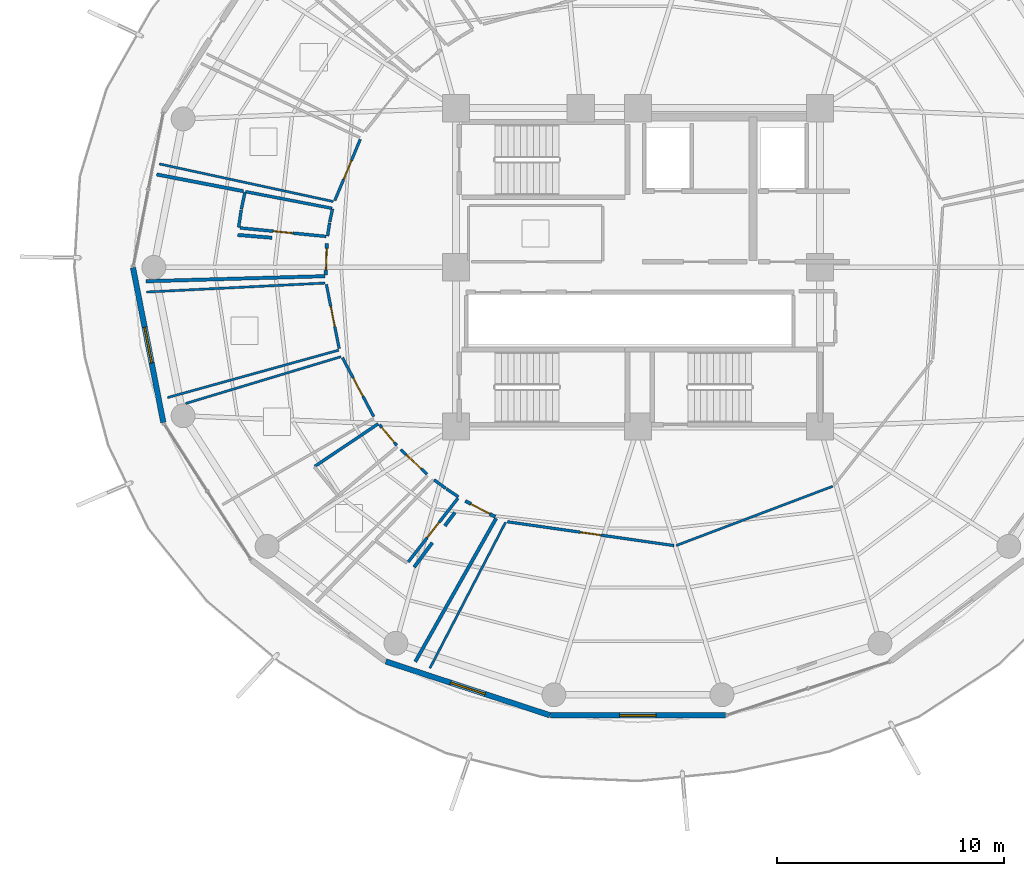
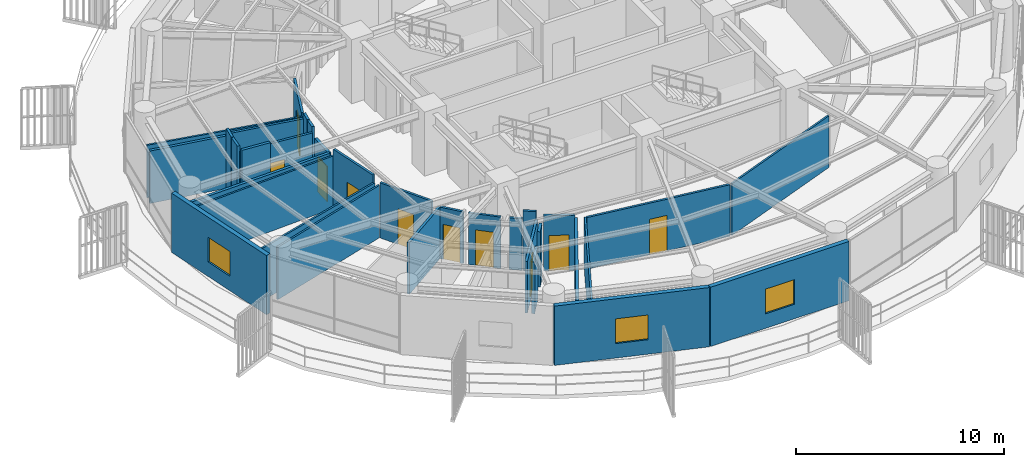
# One storey, part 23 of 30: 33 walls, 10 doors, 3 windows, 13 openings.
"""IFC4 building model written with IfcOpenShell, lengths in metres."""

from ifc_helpers import new_model, si_unit, direction, frame, frame_2d, origin, place, context, subcontext, project, spatial, rectangle, extrude, material, layer, layer_set, type_object, element, fill, save


model = new_model("IFC4")

# Units and contexts
model_context = context("Model", 3, precision=1e-05, world=origin(), true_north=direction((0.0, 1.0)))
body_context = subcontext(model_context, "Body", "Model", "MODEL_VIEW")
ifc_project = project(units=[si_unit("LENGTHUNIT", "METRE"), si_unit("AREAUNIT", "SQUARE_METRE"), si_unit("VOLUMEUNIT", "CUBIC_METRE"), si_unit("PLANEANGLEUNIT", "RADIAN"), si_unit("MASSUNIT", "GRAM", prefix="KILO")], contexts=[model_context])

# Site, building, storey
site_placement = place(None, origin())
site = spatial("IfcSite", under=ifc_project, at=site_placement, CompositionType="ELEMENT")
building_placement = place(site_placement, origin())
building = spatial("IfcBuilding", under=site, at=building_placement, Name="Kelanora Arch Commons", CompositionType="ELEMENT")
storey_placement = place(building_placement, frame((0.0, 0.0, 204.449951171875)))
storey = spatial("IfcBuildingStorey", under=building, at=storey_placement, Name="L52", CompositionType="ELEMENT", Elevation=204.449951171875)

# Wall, opening, door
ifc_material_1 = material(Name="Autoclaved aerated concrete blockwork with fire plaster", Category="masonry")
ifc_layer_1 = layer(ifc_material_1, 0.14990234375)
ifc_layer_set_1 = layer_set([ifc_layer_1], Name="Autoclaved aerated concrete blockwork with fire plaster")
wall_type_1 = type_object("IfcWallType", Name="W-COMP-150", PredefinedType="PARTITIONING", material=ifc_layer_set_1)
wall_1_placement = place(storey_placement, frame((60.322998046875, 59.0458984375, 0.0), z_axis=(0.0, 0.0, 1.0), x_axis=(-0.032172559415, -0.999482329219, 0.0)))
wall_1 = element("IfcWall", 1, at=wall_1_placement, inside=storey, type_object=wall_type_1, Name="Co-Living Studio L52-04 Entry Partition", PredefinedType="PARTITIONING", context=body_context, shape_type="SweptSolid", body=[
    extrude(rectangle(XDim=1.37353515625, YDim=0.14990234375, at=frame_2d((0.686767578125, 0.0))), origin(), (0.0, 0.0, 1.0), 3.025146484375),
])
opening_1_placement = place(wall_1_placement, frame((0.2119140625, 0.0, 0.0)))
opening_1 = element("IfcOpeningElement", 2, at=opening_1_placement, cuts=wall_1, Name="Opening D-CLU1", PredefinedType="OPENING", context=body_context, shape_type="SweptSolid", body=[
    extrude(rectangle(XDim=0.949951171875, YDim=2.080078125, at=frame_2d((0.47509765625, 1.0400390625))), frame((0.0, 0.0849609375, 0.0), z_axis=(0.0, -1.0, 0.0), x_axis=(1.0, 0.0, 0.0)), (0.0, 0.0, 1.0), 0.169921875),
])
ifc_material_2 = material(Name="Solid-core acoustic timber cluster entry fire door", Category="wood")
door_type_1 = type_object("IfcDoorType", Name="D-CLU-95", OperationType="NOTDEFINED", PredefinedType="DOOR", material=ifc_material_2)
door_1_placement = place(opening_1_placement, origin())
door_1 = element("IfcDoor", 3, at=door_1_placement, inside=storey, type_object=door_type_1, Name="Co-Living Studio L52-04 Door", OperationType="SINGLE_SWING_LEFT", OverallHeight=2.080078125, OverallWidth=0.949951171875, PredefinedType="DOOR", context=body_context, shape_type="SweptSolid", body=[
    extrude(rectangle(XDim=0.949951171875, YDim=2.080078125, at=frame_2d((0.47509765625, 1.0400390625))), frame((0.0, 0.02490234375, 0.0), z_axis=(0.0, -1.0, 0.0), x_axis=(1.0, 0.0, 0.0)), (0.0, 0.0, 1.0), 0.050048828125),
])
fill(opening_1, door_1)

wall_2_placement = place(storey_placement, frame((66.406005859375, 47.73193359375, 0.0), z_axis=(0.0, 0.0, 1.0), x_axis=(0.884766555002, -0.466034487083, 0.0)))
wall_2 = element("IfcWall", 4, at=wall_2_placement, inside=storey, type_object=wall_type_1, Name="Co-Living Studio L52-08 Entry Partition", PredefinedType="PARTITIONING", context=body_context, shape_type="SweptSolid", body=[
    extrude(rectangle(XDim=1.501953125, YDim=0.14990234375, at=frame_2d((0.7509765625, 0.0))), origin(), (0.0, 0.0, 1.0), 3.235107421875),
])
opening_2_placement = place(wall_2_placement, frame((0.27587890625, 0.0, 0.0)))
opening_2 = element("IfcOpeningElement", 5, at=opening_2_placement, cuts=wall_2, Name="Opening D-CLU1", PredefinedType="OPENING", context=body_context, shape_type="SweptSolid", body=[
    extrude(rectangle(XDim=0.949951171875, YDim=2.080078125, at=frame_2d((0.47509765625, 1.0400390625))), frame((0.0, 0.0849609375, 0.0), z_axis=(0.0, -1.0, 0.0), x_axis=(1.0, 0.0, 0.0)), (0.0, 0.0, 1.0), 0.169921875),
])
door_2_placement = place(opening_2_placement, origin())
door_2 = element("IfcDoor", 6, at=door_2_placement, inside=storey, type_object=door_type_1, Name="Co-Living Studio L52-08 Door", OperationType="SINGLE_SWING_LEFT", OverallHeight=2.080078125, OverallWidth=0.949951171875, PredefinedType="DOOR", context=body_context, shape_type="SweptSolid", body=[
    extrude(rectangle(XDim=0.949951171875, YDim=2.080078125, at=frame_2d((0.47509765625, 1.0400390625))), frame((0.0, 0.02490234375, 0.0), z_axis=(0.0, -1.0, 0.0), x_axis=(1.0, 0.0, 0.0)), (0.0, 0.0, 1.0), 0.050048828125),
])
fill(opening_2, door_2)

# Walls
wall_3_placement = place(storey_placement, frame((60.237060546875, 57.61181640625, 0.0), z_axis=(0.0, 0.0, 1.0), x_axis=(-0.999599617875, -0.028294945576, 0.0)))
element("IfcWall", 7, at=wall_3_placement, inside=storey, type_object=wall_type_1, Name="Co-Living Studio L52-04 Enclosure Partition 2", PredefinedType="PARTITIONING", context=body_context, shape_type="SweptSolid", body=[
    extrude(rectangle(XDim=7.869140625, YDim=0.14990234375, at=frame_2d((3.9345703125, 0.0))), origin(), (0.0, 0.0, 1.0), 3.074951171875),
])
wall_4_placement = place(storey_placement, frame((52.84326171875, 62.08447265625, 0.0), z_axis=(0.0, 0.0, 1.0), x_axis=(0.981831342876, -0.189755669601, 0.0)))
element("IfcWall", 8, at=wall_4_placement, inside=storey, type_object=wall_type_1, Name="Co-Living Studio L52-04 Enclosure Partition 5", PredefinedType="PARTITIONING", context=body_context, shape_type="SweptSolid", body=[
    extrude(rectangle(XDim=3.8779296875, YDim=0.14990234375, at=frame_2d((1.93896484375, 0.0))), origin(), (0.0, 0.0, 1.0), 3.074951171875),
])
wall_5_placement = place(storey_placement, frame((56.406005859375, 59.423828125, 0.0), z_axis=(0.0, 0.0, 1.0), x_axis=(0.996727287989, -0.080837574046, 0.0)))
element("IfcWall", 9, at=wall_5_placement, inside=storey, type_object=wall_type_1, Name="Co-Living Studio L52-04 Enclosure Partition 7", PredefinedType="PARTITIONING", context=body_context, shape_type="SweptSolid", body=[
    extrude(rectangle(XDim=1.510009765625, YDim=0.14990234375, at=frame_2d((0.7548828125, 0.0))), origin(), (0.0, 0.0, 1.0), 3.47998046875),
])
wall_6_placement = place(storey_placement, frame((67.768310546875, 46.96923828125, 0.0), z_axis=(0.0, 0.0, 1.0), x_axis=(-0.491338239217, -0.870968848285, 0.0)))
element("IfcWall", 10, at=wall_6_placement, inside=storey, type_object=wall_type_1, Name="Co-Living Studio L52-08 Enclosure Partition 2", PredefinedType="PARTITIONING", context=body_context, shape_type="SweptSolid", body=[
    extrude(rectangle(XDim=7.24072265625, YDim=0.14990234375, at=frame_2d((3.620361328125, 0.0))), origin(), (0.0, 0.0, 1.0), 3.074951171875),
])
wall_7_placement = place(storey_placement, frame((64.161865234375, 44.822998046875, 0.0), z_axis=(0.0, 0.0, 1.0), x_axis=(0.597925227294, 0.801551883889, 0.0)))
element("IfcWall", 11, at=wall_7_placement, inside=storey, type_object=wall_type_1, Name="Co-Living Studio L52-08 Enclosure Partition 7", PredefinedType="PARTITIONING", context=body_context, shape_type="SweptSolid", body=[
    extrude(rectangle(XDim=1.338134765625, YDim=0.14990234375, at=frame_2d((0.6689453125, 0.0))), origin(), (0.0, 0.0, 1.0), 3.025146484375),
])
wall_8_placement = place(storey_placement, frame((65.51220703125, 46.633056640625, 0.0), z_axis=(0.0, 0.0, 1.0), x_axis=(0.598093921347, 0.801426017327, 0.0)))
element("IfcWall", 12, at=wall_8_placement, inside=storey, type_object=wall_type_1, Name="Co-Living Studio L52-08 Enclosure Partition 7", PredefinedType="PARTITIONING", context=body_context, shape_type="SweptSolid", body=[
    extrude(rectangle(XDim=0.738525390625, YDim=0.14990234375, at=frame_2d((0.369140625, 0.0))), origin(), (0.0, 0.0, 1.0), 3.235107421875),
])

# Wall, opening, window
ifc_material_3 = material(Name="Precast concrete C40/50 upper-zone terracotta rainscreen", Category="masonry")
ifc_layer_2 = layer(ifc_material_3, 0.239990234375)
ifc_layer_set_2 = layer_set([ifc_layer_2], Name="Precast concrete C40/50 upper-zone terracotta rainscreen")
wall_type_2 = type_object("IfcWallType", Name="W-EXT-TC2", PredefinedType="SOLIDWALL", material=ifc_layer_set_2)
wall_9_placement = place(storey_placement, frame((51.802978515625, 57.9853515625, 0.0), z_axis=(0.0, 0.0, 1.0), x_axis=(0.192069055673, -0.981381413036, 0.0)))
wall_9 = element("IfcWall", 13, at=wall_9_placement, inside=storey, type_object=wall_type_2, Name="Terracotta Exterior Wall L52-B09", PredefinedType="SOLIDWALL", context=body_context, shape_type="SweptSolid", body=[
    extrude(rectangle(XDim=6.940185546875, YDim=0.239990234375, at=frame_2d((3.47021484375, 0.0))), origin(), (0.0, 0.0, 1.0), 3.47509765625),
])
opening_3_placement = place(wall_9_placement, frame((2.669921875, 0.0, 0.85009765625)))
opening_3 = element("IfcOpeningElement", 14, at=opening_3_placement, cuts=wall_9, Name="Opening WN-01", PredefinedType="OPENING", context=body_context, shape_type="SweptSolid", body=[
    extrude(rectangle(XDim=1.60009765625, YDim=1.449951171875, at=frame_2d((0.800048828125, 0.72509765625))), frame((0.0, 0.1298828125, 0.0), z_axis=(0.0, -1.0, 0.0), x_axis=(1.0, 0.0, 0.0)), (0.0, 0.0, 1.0), 0.260009765625),
])
ifc_material_4 = material(Name="Terracotta-anodised aluminium frame with operable low-E glazing", Category="masonry")
window_type = type_object("IfcWindowType", Name="WIN-CL-18", PartitioningType="DOUBLE_PANEL_VERTICAL", PredefinedType="WINDOW", material=ifc_material_4)
window_1_placement = place(opening_3_placement, origin())
window_1 = element("IfcWindow", 15, at=window_1_placement, inside=storey, type_object=window_type, Name="Co-Living Operable Window L52-B09", OverallHeight=1.449951171875, OverallWidth=1.60009765625, PartitioningType="SINGLE_PANEL", PredefinedType="WINDOW", context=body_context, shape_type="SweptSolid", body=[
    extrude(rectangle(XDim=1.60009765625, YDim=1.449951171875, at=frame_2d((0.800048828125, 0.72509765625))), frame((0.0, 0.030029296875, 0.0), z_axis=(0.0, -1.0, 0.0), x_axis=(1.0, 0.0, 0.0)), (0.0, 0.0, 1.0), 0.06005859375),
])
fill(opening_3, window_1)

wall_10_placement = place(storey_placement, frame((62.914306640625, 40.6748046875, 0.0), z_axis=(0.0, 0.0, 1.0), x_axis=(0.95022142767, -0.31157541366, 0.0)))
wall_10 = element("IfcWall", 16, at=wall_10_placement, inside=storey, type_object=wall_type_2, Name="Terracotta Exterior Wall L52-B12", PredefinedType="SOLIDWALL", context=body_context, shape_type="SweptSolid", body=[
    extrude(rectangle(XDim=7.59423828125, YDim=0.239990234375, at=frame_2d((3.797119140625, 0.0))), origin(), (0.0, 0.0, 1.0), 3.47509765625),
])
opening_4_placement = place(wall_10_placement, frame((2.9970703125, 0.0, 0.85009765625)))
opening_4 = element("IfcOpeningElement", 17, at=opening_4_placement, cuts=wall_10, Name="Opening WN-01", PredefinedType="OPENING", context=body_context, shape_type="SweptSolid", body=[
    extrude(rectangle(XDim=1.60009765625, YDim=1.449951171875, at=frame_2d((0.800048828125, 0.72509765625))), frame((0.0, 0.1298828125, 0.0), z_axis=(0.0, -1.0, 0.0), x_axis=(1.0, 0.0, 0.0)), (0.0, 0.0, 1.0), 0.260009765625),
])
window_2_placement = place(opening_4_placement, origin())
window_2 = element("IfcWindow", 18, at=window_2_placement, inside=storey, type_object=window_type, Name="Co-Living Operable Window L52-B12", OverallHeight=1.449951171875, OverallWidth=1.60009765625, PartitioningType="SINGLE_PANEL", PredefinedType="WINDOW", context=body_context, shape_type="SweptSolid", body=[
    extrude(rectangle(XDim=1.60009765625, YDim=1.449951171875, at=frame_2d((0.800048828125, 0.72509765625))), frame((0.0, 0.030029296875, 0.0), z_axis=(0.0, -1.0, 0.0), x_axis=(1.0, 0.0, 0.0)), (0.0, 0.0, 1.0), 0.06005859375),
])
fill(opening_4, window_2)

wall_11_placement = place(storey_placement, frame((70.159912109375, 38.3037109375, 0.0), z_axis=(0.0, 0.0, 1.0), x_axis=(1.0, 0.0, 0.0)))
wall_11 = element("IfcWall", 19, at=wall_11_placement, inside=storey, type_object=wall_type_2, Name="Terracotta Exterior Wall L52-B13", PredefinedType="SOLIDWALL", context=body_context, shape_type="SweptSolid", body=[
    extrude(rectangle(XDim=7.68017578125, YDim=0.239990234375, at=frame_2d((3.840087890625, 0.0))), origin(), (0.0, 0.0, 1.0), 3.47509765625),
])
opening_5_placement = place(wall_11_placement, frame((3.0400390625, 0.0, 0.85009765625)))
opening_5 = element("IfcOpeningElement", 20, at=opening_5_placement, cuts=wall_11, Name="Opening WN-01", PredefinedType="OPENING", context=body_context, shape_type="SweptSolid", body=[
    extrude(rectangle(XDim=1.60009765625, YDim=1.449951171875, at=frame_2d((0.800048828125, 0.72509765625))), frame((0.0, 0.1298828125, 0.0), z_axis=(0.0, -1.0, 0.0), x_axis=(1.0, 0.0, 0.0)), (0.0, 0.0, 1.0), 0.260009765625),
])
window_3_placement = place(opening_5_placement, origin())
window_3 = element("IfcWindow", 21, at=window_3_placement, inside=storey, type_object=window_type, Name="Co-Living Operable Window L52-B13", OverallHeight=1.449951171875, OverallWidth=1.60009765625, PartitioningType="SINGLE_PANEL", PredefinedType="WINDOW", context=body_context, shape_type="SweptSolid", body=[
    extrude(rectangle(XDim=1.60009765625, YDim=1.449951171875, at=frame_2d((0.800048828125, 0.72509765625))), frame((0.0, 0.030029296875, 0.0), z_axis=(0.0, -1.0, 0.0), x_axis=(1.0, 0.0, 0.0)), (0.0, 0.0, 1.0), 0.06005859375),
])
fill(opening_5, window_3)

# Walls
ifc_material_5 = material(Name="Lightweight fire-rated acoustic stud partition")
ifc_layer_3 = layer(ifc_material_5, 0.10009765625)
ifc_layer_set_3 = layer_set([ifc_layer_3], Name="Lightweight fire-rated acoustic stud partition")
wall_type_3 = type_object("IfcWallType", Name="W-PART-100", PredefinedType="PARTITIONING", material=ifc_layer_set_3)
wall_12_placement = place(storey_placement, frame((75.686279296875, 45.773193359375, 0.0), z_axis=(0.0, 0.0, 1.0), x_axis=(0.935263689731, 0.353951734945, 0.0)))
element("IfcWall", 22, at=wall_12_placement, inside=storey, type_object=wall_type_3, Name="South-East Social Sky Lounge L52 Enclosure Partition 2", PredefinedType="PARTITIONING", context=body_context, shape_type="SweptSolid", body=[
    extrude(rectangle(XDim=7.35546875, YDim=0.10009765625, at=frame_2d((3.677734375, 0.0))), origin(), (0.0, 0.0, 1.0), 3.025146484375),
])
wall_13_placement = place(storey_placement, frame((64.8564453125, 40.380615234375, 0.0), z_axis=(0.0, 0.0, 1.0), x_axis=(0.460220418691, 0.887804689231, 0.0)))
element("IfcWall", 23, at=wall_13_placement, inside=storey, type_object=wall_type_3, Name="South-East Social Sky Lounge L52 Enclosure Partition 10", PredefinedType="PARTITIONING", context=body_context, shape_type="SweptSolid", body=[
    extrude(rectangle(XDim=7.21875, YDim=0.10009765625, at=frame_2d((3.609375, 0.0))), origin(), (0.0, 0.0, 1.0), 3.074951171875),
])
wall_14_placement = place(storey_placement, frame((60.61181640625, 60.892578125, 0.0), z_axis=(0.0, 0.0, 1.0), x_axis=(-0.977397622815, 0.211409287676, 0.0)))
element("IfcWall", 24, at=wall_14_placement, inside=storey, type_object=wall_type_3, Name="Quiet Seminar Study Room L52-03 Enclosure Partition 2", PredefinedType="PARTITIONING", context=body_context, shape_type="SweptSolid", body=[
    extrude(rectangle(XDim=7.82861328125, YDim=0.10009765625, at=frame_2d((3.914306640625, 0.0))), origin(), (0.0, 0.0, 1.0), 3.074951171875),
])
wall_15_placement = place(storey_placement, frame((60.840576171875, 54.3583984375, 0.0), z_axis=(0.0, 0.0, 1.0), x_axis=(-0.963696964369, -0.266998428582, 0.0)))
element("IfcWall", 25, at=wall_15_placement, inside=storey, type_object=wall_type_3, Name="Shared Cluster Kitchen L52-05 Enclosure Partition 2", PredefinedType="PARTITIONING", context=body_context, shape_type="SweptSolid", body=[
    extrude(rectangle(XDim=7.80419921875, YDim=0.10009765625, at=frame_2d((3.902099609375, 0.0))), origin(), (0.0, 0.0, 1.0), 3.074951171875),
])
wall_16_placement = place(storey_placement, frame((52.393798828125, 56.9150390625, 0.0), z_axis=(0.0, 0.0, 1.0), x_axis=(0.998738681635, 0.050210016992, 0.0)))
element("IfcWall", 26, at=wall_16_placement, inside=storey, type_object=wall_type_3, Name="Shared Cluster Kitchen L52-05 Enclosure Partition 4", PredefinedType="PARTITIONING", context=body_context, shape_type="SweptSolid", body=[
    extrude(rectangle(XDim=7.867431640625, YDim=0.10009765625, at=frame_2d((3.93359375, 0.0))), origin(), (0.0, 0.0, 1.0), 3.074951171875),
])
wall_17_placement = place(storey_placement, frame((54.113525390625, 52.01318359375, 0.0), z_axis=(0.0, 0.0, 1.0), x_axis=(0.957454305291, 0.288584915198, 0.0)))
element("IfcWall", 27, at=wall_17_placement, inside=storey, type_object=wall_type_3, Name="Social Sky Lounge L52-06 Enclosure Partition 4", PredefinedType="PARTITIONING", context=body_context, shape_type="SweptSolid", body=[
    extrude(rectangle(XDim=7.132568359375, YDim=0.10009765625, at=frame_2d((3.56640625, 0.0))), origin(), (0.0, 0.0, 1.0), 3.074951171875),
])

# Wall, opening, door
ifc_material_6 = material(Name="Acoustic twin-stud fire-rated gypsum partition")
ifc_layer_4 = layer(ifc_material_6, 0.1201171875)
ifc_layer_set_4 = layer_set([ifc_layer_4], Name="Acoustic twin-stud fire-rated gypsum partition")
wall_type_4 = type_object("IfcWallType", Name="W-PART-120", PredefinedType="PARTITIONING", material=ifc_layer_set_4)
wall_18_placement = place(storey_placement, frame((68.25634765625, 46.81640625, 0.0), z_axis=(0.0, 0.0, 1.0), x_axis=(0.989926410659, -0.141582843167, 0.0)))
wall_18 = element("IfcWall", 28, at=wall_18_placement, inside=storey, type_object=wall_type_4, Name="South-East Social Sky Lounge L52 Entry Partition", PredefinedType="PARTITIONING", context=body_context, shape_type="SweptSolid", body=[
    extrude(rectangle(XDim=7.407958984375, YDim=0.1201171875, at=frame_2d((3.7041015625, 0.0))), origin(), (0.0, 0.0, 1.0), 3.025146484375),
])
opening_6_placement = place(wall_18_placement, frame((3.25390625, 0.0, 0.0)))
opening_6 = element("IfcOpeningElement", 29, at=opening_6_placement, cuts=wall_18, Name="Opening D-RM1", PredefinedType="OPENING", context=body_context, shape_type="SweptSolid", body=[
    extrude(rectangle(XDim=0.89990234375, YDim=2.080078125, at=frame_2d((0.449951171875, 1.0400390625))), frame((0.0, 0.070068359375, 0.0), z_axis=(0.0, -1.0, 0.0), x_axis=(1.0, 0.0, 0.0)), (0.0, 0.0, 1.0), 0.14013671875),
])
ifc_material_7 = material(Name="Acoustic fire-rated timber study and lounge door", Category="wood")
door_type_2 = type_object("IfcDoorType", Name="D-ROOM-90", OperationType="NOTDEFINED", PredefinedType="DOOR", material=ifc_material_7)
door_3_placement = place(opening_6_placement, origin())
door_3 = element("IfcDoor", 30, at=door_3_placement, inside=storey, type_object=door_type_2, Name="South-East Social Sky Lounge L52 Door", OperationType="SINGLE_SWING_RIGHT", OverallHeight=2.080078125, OverallWidth=0.89990234375, PredefinedType="DOOR", context=body_context, shape_type="SweptSolid", body=[
    extrude(rectangle(XDim=0.89990234375, YDim=2.080078125, at=frame_2d((0.449951171875, 1.0400390625))), frame((0.0, 0.02490234375, 0.0), z_axis=(0.0, -1.0, 0.0), x_axis=(1.0, 0.0, 0.0)), (0.0, 0.0, 1.0), 0.050048828125),
])
fill(opening_6, door_3)

wall_19_placement = place(storey_placement, frame((61.79296875, 63.628662109375, 0.0), z_axis=(0.0, 0.0, 1.0), x_axis=(-0.384145151494, -0.923272713007, 0.0)))
wall_19 = element("IfcWall", 31, at=wall_19_placement, inside=storey, type_object=wall_type_4, Name="Quiet Seminar Study Room L52-03 Entry Partition", PredefinedType="PARTITIONING", context=body_context, shape_type="SweptSolid", body=[
    extrude(rectangle(XDim=2.91259765625, YDim=0.1201171875, at=frame_2d((1.456298828125, 0.0))), origin(), (0.0, 0.0, 1.0), 3.235107421875),
])
opening_7_placement = place(wall_19_placement, frame((1.006103515625, 0.0, 0.0)))
opening_7 = element("IfcOpeningElement", 32, at=opening_7_placement, cuts=wall_19, Name="Opening D-RM1", PredefinedType="OPENING", context=body_context, shape_type="SweptSolid", body=[
    extrude(rectangle(XDim=0.89990234375, YDim=2.080078125, at=frame_2d((0.449951171875, 1.0400390625))), frame((0.0, 0.070068359375, 0.0), z_axis=(0.0, -1.0, 0.0), x_axis=(1.0, 0.0, 0.0)), (0.0, 0.0, 1.0), 0.14013671875),
])
door_4_placement = place(opening_7_placement, origin())
door_4 = element("IfcDoor", 33, at=door_4_placement, inside=storey, type_object=door_type_2, Name="Quiet Seminar Study Room L52-03 Door", OperationType="SINGLE_SWING_LEFT", OverallHeight=2.080078125, OverallWidth=0.89990234375, PredefinedType="DOOR", context=body_context, shape_type="SweptSolid", body=[
    extrude(rectangle(XDim=0.89990234375, YDim=2.080078125, at=frame_2d((0.449951171875, 1.0400390625))), frame((0.0, 0.02490234375, 0.0), z_axis=(0.0, -1.0, 0.0), x_axis=(1.0, 0.0, 0.0)), (0.0, 0.0, 1.0), 0.050048828125),
])
fill(opening_7, door_4)

wall_20_placement = place(storey_placement, frame((60.302734375, 57.253173828125, 0.0), z_axis=(0.0, 0.0, 1.0), x_axis=(0.195904296331, -0.980623019656, 0.0)))
wall_20 = element("IfcWall", 34, at=wall_20_placement, inside=storey, type_object=wall_type_4, Name="Shared Cluster Kitchen L52-05 Entry Partition", PredefinedType="PARTITIONING", context=body_context, shape_type="SweptSolid", body=[
    extrude(rectangle(XDim=2.88134765625, YDim=0.1201171875, at=frame_2d((1.440673828125, 0.0))), origin(), (0.0, 0.0, 1.0), 3.47998046875),
])
opening_8_placement = place(wall_20_placement, frame((0.990966796875, 0.0, 0.0)))
opening_8 = element("IfcOpeningElement", 35, at=opening_8_placement, cuts=wall_20, Name="Opening D-RM1", PredefinedType="OPENING", context=body_context, shape_type="SweptSolid", body=[
    extrude(rectangle(XDim=0.89990234375, YDim=2.080078125, at=frame_2d((0.449951171875, 1.0400390625))), frame((0.0, 0.070068359375, 0.0), z_axis=(0.0, -1.0, 0.0), x_axis=(1.0, 0.0, 0.0)), (0.0, 0.0, 1.0), 0.14013671875),
])
door_5_placement = place(opening_8_placement, origin())
door_5 = element("IfcDoor", 36, at=door_5_placement, inside=storey, type_object=door_type_2, Name="Shared Cluster Kitchen L52-05 Door", OperationType="SINGLE_SWING_RIGHT", OverallHeight=2.080078125, OverallWidth=0.89990234375, PredefinedType="DOOR", context=body_context, shape_type="SweptSolid", body=[
    extrude(rectangle(XDim=0.89990234375, YDim=2.080078125, at=frame_2d((0.449951171875, 1.0400390625))), frame((0.0, 0.02490234375, 0.0), z_axis=(0.0, -1.0, 0.0), x_axis=(1.0, 0.0, 0.0)), (0.0, 0.0, 1.0), 0.050048828125),
])
fill(opening_8, door_5)

wall_21_placement = place(storey_placement, frame((61.009033203125, 54.030029296875, 0.0), z_axis=(0.0, 0.0, 1.0), x_axis=(0.468999166779, -0.883198608219, 0.0)))
wall_21 = element("IfcWall", 37, at=wall_21_placement, inside=storey, type_object=wall_type_4, Name="Social Sky Lounge L52-06 Entry Partition", PredefinedType="PARTITIONING", context=body_context, shape_type="SweptSolid", body=[
    extrude(rectangle(XDim=2.93603515625, YDim=0.1201171875, at=frame_2d((1.468017578125, 0.0))), origin(), (0.0, 0.0, 1.0), 3.235107421875),
])
opening_9_placement = place(wall_21_placement, frame((1.01806640625, 0.0, 0.0)))
opening_9 = element("IfcOpeningElement", 38, at=opening_9_placement, cuts=wall_21, Name="Opening D-RM1", PredefinedType="OPENING", context=body_context, shape_type="SweptSolid", body=[
    extrude(rectangle(XDim=0.89990234375, YDim=2.080078125, at=frame_2d((0.449951171875, 1.0400390625))), frame((0.0, 0.070068359375, 0.0), z_axis=(0.0, -1.0, 0.0), x_axis=(1.0, 0.0, 0.0)), (0.0, 0.0, 1.0), 0.14013671875),
])
door_6_placement = place(opening_9_placement, origin())
door_6 = element("IfcDoor", 39, at=door_6_placement, inside=storey, type_object=door_type_2, Name="Social Sky Lounge L52-06 Door", OperationType="SINGLE_SWING_LEFT", OverallHeight=2.080078125, OverallWidth=0.89990234375, PredefinedType="DOOR", context=body_context, shape_type="SweptSolid", body=[
    extrude(rectangle(XDim=0.89990234375, YDim=2.080078125, at=frame_2d((0.449951171875, 1.0400390625))), frame((0.0, 0.02490234375, 0.0), z_axis=(0.0, -1.0, 0.0), x_axis=(1.0, 0.0, 0.0)), (0.0, 0.0, 1.0), 0.050048828125),
])
fill(opening_9, door_6)

wall_22_placement = place(storey_placement, frame((63.56884765625, 49.98828125, 0.0), z_axis=(0.0, 0.0, 1.0), x_axis=(0.732453034456, -0.680817561698, 0.0)))
wall_22 = element("IfcWall", 40, at=wall_22_placement, inside=storey, type_object=wall_type_4, Name="Tutorial Study Alcove L52-07 Entry Partition", PredefinedType="PARTITIONING", context=body_context, shape_type="SweptSolid", body=[
    extrude(rectangle(XDim=1.583984375, YDim=0.1201171875, at=frame_2d((0.7919921875, 0.0))), origin(), (0.0, 0.0, 1.0), 3.025146484375),
])
opening_10_placement = place(wall_22_placement, frame((0.342041015625, 0.0, 0.0)))
opening_10 = element("IfcOpeningElement", 41, at=opening_10_placement, cuts=wall_22, Name="Opening D-RM1", PredefinedType="OPENING", context=body_context, shape_type="SweptSolid", body=[
    extrude(rectangle(XDim=0.89990234375, YDim=2.080078125, at=frame_2d((0.449951171875, 1.0400390625))), frame((0.0, 0.070068359375, 0.0), z_axis=(0.0, -1.0, 0.0), x_axis=(1.0, 0.0, 0.0)), (0.0, 0.0, 1.0), 0.14013671875),
])
door_7_placement = place(opening_10_placement, origin())
door_7 = element("IfcDoor", 42, at=door_7_placement, inside=storey, type_object=door_type_2, Name="Tutorial Study Alcove L52-07 Door", OperationType="SINGLE_SWING_LEFT", OverallHeight=2.080078125, OverallWidth=0.89990234375, PredefinedType="DOOR", context=body_context, shape_type="SweptSolid", body=[
    extrude(rectangle(XDim=0.89990234375, YDim=2.080078125, at=frame_2d((0.449951171875, 1.0400390625))), frame((0.0, 0.02490234375, 0.0), z_axis=(0.0, -1.0, 0.0), x_axis=(1.0, 0.0, 0.0)), (0.0, 0.0, 1.0), 0.050048828125),
])
fill(opening_10, door_7)

ifc_material_8 = material(Name="Moisture-resistant fire-rated cement-board plumbing wall")
ifc_layer_5 = layer(ifc_material_8, 0.1298828125)
ifc_layer_set_5 = layer_set([ifc_layer_5], Name="Moisture-resistant fire-rated cement-board plumbing wall")
wall_type_5 = type_object("IfcWallType", Name="W-WET-120", PredefinedType="PLUMBINGWALL", material=ifc_layer_set_5)
wall_23_placement = place(storey_placement, frame((60.293212890625, 59.35888671875, 0.0), z_axis=(0.0, 0.0, 1.0), x_axis=(-0.995138182823, 0.098488563232, 0.0)))
wall_23 = element("IfcWall", 43, at=wall_23_placement, inside=storey, type_object=wall_type_5, Name="En-Suite Shower WC L52-04 Entry Partition", PredefinedType="PLUMBINGWALL", context=body_context, shape_type="SweptSolid", body=[
    extrude(rectangle(XDim=3.81005859375, YDim=0.1298828125, at=frame_2d((1.905029296875, 0.0))), origin(), (0.0, 0.0, 1.0), 3.175048828125),
])
opening_11_placement = place(wall_23_placement, frame((1.47509765625, 0.0, 0.0)))
opening_11 = element("IfcOpeningElement", 44, at=opening_11_placement, cuts=wall_23, Name="Opening D-BT1", PredefinedType="OPENING", context=body_context, shape_type="SweptSolid", body=[
    extrude(rectangle(XDim=0.860107421875, YDim=2.050048828125, at=frame_2d((0.43017578125, 1.02490234375))), frame((0.0, 0.074951171875, 0.0), z_axis=(0.0, -1.0, 0.0), x_axis=(1.0, 0.0, 0.0)), (0.0, 0.0, 1.0), 0.14990234375),
])
ifc_material_9 = material(Name="Moisture-sealed fire-rated accessible bathroom door")
door_type_3 = type_object("IfcDoorType", Name="D-BATH-85", OperationType="NOTDEFINED", PredefinedType="DOOR", material=ifc_material_9)
door_8_placement = place(opening_11_placement, origin())
door_8 = element("IfcDoor", 45, at=door_8_placement, inside=storey, type_object=door_type_3, Name="En-Suite Shower WC L52-04 Door", OperationType="SINGLE_SWING_RIGHT", OverallHeight=2.050048828125, OverallWidth=0.860107421875, PredefinedType="DOOR", context=body_context, shape_type="SweptSolid", body=[
    extrude(rectangle(XDim=0.860107421875, YDim=2.050048828125, at=frame_2d((0.43017578125, 1.02490234375))), frame((0.0, 0.02490234375, 0.0), z_axis=(0.0, -1.0, 0.0), x_axis=(1.0, 0.0, 0.0)), (0.0, 0.0, 1.0), 0.050048828125),
])
fill(opening_11, door_8)

wall_24_placement = place(storey_placement, frame((62.635498046875, 51.0859375, 0.0), z_axis=(0.0, 0.0, 1.0), x_axis=(0.639759255057, -0.768575367526, 0.0)))
wall_24 = element("IfcWall", 46, at=wall_24_placement, inside=storey, type_object=wall_type_5, Name="Accessible Shared Floor WC L52-07 Entry Partition", PredefinedType="PLUMBINGWALL", context=body_context, shape_type="SweptSolid", body=[
    extrude(rectangle(XDim=1.1865234375, YDim=0.1298828125, at=frame_2d((0.59326171875, 0.0))), origin(), (0.0, 0.0, 1.0), 3.025146484375),
])
opening_12_placement = place(wall_24_placement, frame((0.1630859375, 0.0, 0.0)))
opening_12 = element("IfcOpeningElement", 47, at=opening_12_placement, cuts=wall_24, Name="Opening D-BT1", PredefinedType="OPENING", context=body_context, shape_type="SweptSolid", body=[
    extrude(rectangle(XDim=0.860107421875, YDim=2.050048828125, at=frame_2d((0.43017578125, 1.02490234375))), frame((0.0, 0.074951171875, 0.0), z_axis=(0.0, -1.0, 0.0), x_axis=(1.0, 0.0, 0.0)), (0.0, 0.0, 1.0), 0.14990234375),
])
door_9_placement = place(opening_12_placement, origin())
door_9 = element("IfcDoor", 48, at=door_9_placement, inside=storey, type_object=door_type_3, Name="Accessible Shared Floor WC L52-07 Door", OperationType="SINGLE_SWING_RIGHT", OverallHeight=2.050048828125, OverallWidth=0.860107421875, PredefinedType="DOOR", context=body_context, shape_type="SweptSolid", body=[
    extrude(rectangle(XDim=0.860107421875, YDim=2.050048828125, at=frame_2d((0.43017578125, 1.02490234375))), frame((0.0, 0.02490234375, 0.0), z_axis=(0.0, -1.0, 0.0), x_axis=(1.0, 0.0, 0.0)), (0.0, 0.0, 1.0), 0.050048828125),
])
fill(opening_12, door_9)

wall_25_placement = place(storey_placement, frame((66.088134765625, 47.852783203125, 0.0), z_axis=(0.0, 0.0, 1.0), x_axis=(-0.614711227896, -0.788752246462, 0.0)))
wall_25 = element("IfcWall", 49, at=wall_25_placement, inside=storey, type_object=wall_type_5, Name="En-Suite Shower WC L52-08 Entry Partition", PredefinedType="PLUMBINGWALL", context=body_context, shape_type="SweptSolid", body=[
    extrude(rectangle(XDim=3.5517578125, YDim=0.1298828125, at=frame_2d((1.77587890625, 0.0))), origin(), (0.0, 0.0, 1.0), 3.025146484375),
])
opening_13_placement = place(wall_25_placement, frame((1.345947265625, 0.0, 0.0)))
opening_13 = element("IfcOpeningElement", 50, at=opening_13_placement, cuts=wall_25, Name="Opening D-BT1", PredefinedType="OPENING", context=body_context, shape_type="SweptSolid", body=[
    extrude(rectangle(XDim=0.860107421875, YDim=2.050048828125, at=frame_2d((0.43017578125, 1.02490234375))), frame((0.0, 0.074951171875, 0.0), z_axis=(0.0, -1.0, 0.0), x_axis=(1.0, 0.0, 0.0)), (0.0, 0.0, 1.0), 0.14990234375),
])
door_10_placement = place(opening_13_placement, origin())
door_10 = element("IfcDoor", 51, at=door_10_placement, inside=storey, type_object=door_type_3, Name="En-Suite Shower WC L52-08 Door", OperationType="SINGLE_SWING_RIGHT", OverallHeight=2.050048828125, OverallWidth=0.860107421875, PredefinedType="DOOR", context=body_context, shape_type="SweptSolid", body=[
    extrude(rectangle(XDim=0.860107421875, YDim=2.050048828125, at=frame_2d((0.43017578125, 1.02490234375))), frame((0.0, 0.02490234375, 0.0), z_axis=(0.0, -1.0, 0.0), x_axis=(1.0, 0.0, 0.0)), (0.0, 0.0, 1.0), 0.050048828125),
])
fill(opening_13, door_10)

# Walls
wall_26_placement = place(storey_placement, frame((60.572021484375, 60.5703125, 0.0), z_axis=(0.0, 0.0, 1.0), x_axis=(-0.205112412682, -0.978738421727, 0.0)))
element("IfcWall", 52, at=wall_26_placement, inside=storey, type_object=wall_type_5, Name="En-Suite Shower WC L52-04 Enclosure Partition 1", PredefinedType="PLUMBINGWALL", context=body_context, shape_type="SweptSolid", body=[
    extrude(rectangle(XDim=0.589111328125, YDim=0.1298828125, at=frame_2d((0.29443359375, 0.0))), origin(), (0.0, 0.0, 1.0), 3.47998046875),
])
wall_27_placement = place(storey_placement, frame((60.444091796875, 59.9541015625, 0.0), z_axis=(0.0, 0.0, 1.0), x_axis=(-0.149903785265, -0.98870058924, 0.0)))
element("IfcWall", 53, at=wall_27_placement, inside=storey, type_object=wall_type_5, Name="En-Suite Shower WC L52-04 Enclosure Partition 2", PredefinedType="PLUMBINGWALL", context=body_context, shape_type="SweptSolid", body=[
    extrude(rectangle(XDim=0.587890625, YDim=0.1298828125, at=frame_2d((0.2939453125, 0.0))), origin(), (0.0, 0.0, 1.0), 3.47998046875),
])
wall_28_placement = place(storey_placement, frame((56.445068359375, 59.759765625, 0.0), z_axis=(0.0, 0.0, 1.0), x_axis=(0.149504479532, 0.988761048282, 0.0)))
element("IfcWall", 54, at=wall_28_placement, inside=storey, type_object=wall_type_5, Name="En-Suite Shower WC L52-04 Enclosure Partition 4", PredefinedType="PLUMBINGWALL", context=body_context, shape_type="SweptSolid", body=[
    extrude(rectangle(XDim=0.76904296875, YDim=0.1298828125, at=frame_2d((0.384521484375, 0.0))), origin(), (0.0, 0.0, 1.0), 3.47998046875),
])
wall_29_placement = place(storey_placement, frame((56.567138671875, 60.5595703125, 0.0), z_axis=(0.0, 0.0, 1.0), x_axis=(0.205018710415, 0.978758054056, 0.0)))
element("IfcWall", 55, at=wall_29_placement, inside=storey, type_object=wall_type_5, Name="En-Suite Shower WC L52-04 Enclosure Partition 5", PredefinedType="PLUMBINGWALL", context=body_context, shape_type="SweptSolid", body=[
    extrude(rectangle(XDim=0.769287109375, YDim=0.1298828125, at=frame_2d((0.384765625, 0.0))), origin(), (0.0, 0.0, 1.0), 3.47998046875),
])
wall_30_placement = place(storey_placement, frame((56.74853515625, 61.328125, 0.0), z_axis=(0.0, 0.0, 1.0), x_axis=(0.981906173962, -0.189368068941, 0.0)))
element("IfcWall", 56, at=wall_30_placement, inside=storey, type_object=wall_type_5, Name="En-Suite Shower WC L52-04 Enclosure Partition 6", PredefinedType="PLUMBINGWALL", context=body_context, shape_type="SweptSolid", body=[
    extrude(rectangle(XDim=3.8779296875, YDim=0.1298828125, at=frame_2d((1.93896484375, 0.0))), origin(), (0.0, 0.0, 1.0), 3.175048828125),
])
wall_31_placement = place(storey_placement, frame((59.79052734375, 49.2490234375, 0.0), z_axis=(0.0, 0.0, 1.0), x_axis=(0.830403176275, 0.557162960751, 0.0)))
element("IfcWall", 57, at=wall_31_placement, inside=storey, type_object=wall_type_5, Name="Accessible Shared Floor WC L52-07 Enclosure Partition 4", PredefinedType="PLUMBINGWALL", context=body_context, shape_type="SweptSolid", body=[
    extrude(rectangle(XDim=3.359619140625, YDim=0.1298828125, at=frame_2d((1.6796875, 0.0))), origin(), (0.0, 0.0, 1.0), 3.025146484375),
])
wall_32_placement = place(storey_placement, frame((65.0400390625, 48.658203125, 0.0), z_axis=(0.0, 0.0, 1.0), x_axis=(0.804987739936, -0.593291444867, 0.0)))
element("IfcWall", 58, at=wall_32_placement, inside=storey, type_object=wall_type_5, Name="En-Suite Shower WC L52-08 Enclosure Partition 1", PredefinedType="PLUMBINGWALL", context=body_context, shape_type="SweptSolid", body=[
    extrude(rectangle(XDim=0.630859375, YDim=0.1298828125, at=frame_2d((0.3154296875, 0.0))), origin(), (0.0, 0.0, 1.0), 3.025146484375),
])
wall_33_placement = place(storey_placement, frame((65.580810546875, 48.260986328125, 0.0), z_axis=(0.0, 0.0, 1.0), x_axis=(0.83341242139, -0.55265155014, 0.0)))
element("IfcWall", 59, at=wall_33_placement, inside=storey, type_object=wall_type_5, Name="En-Suite Shower WC L52-08 Enclosure Partition 2", PredefinedType="PLUMBINGWALL", context=body_context, shape_type="SweptSolid", body=[
    extrude(rectangle(XDim=0.633056640625, YDim=0.1298828125, at=frame_2d((0.31640625, 0.0))), origin(), (0.0, 0.0, 1.0), 3.47998046875),
])

save(model, "model.ifc")
